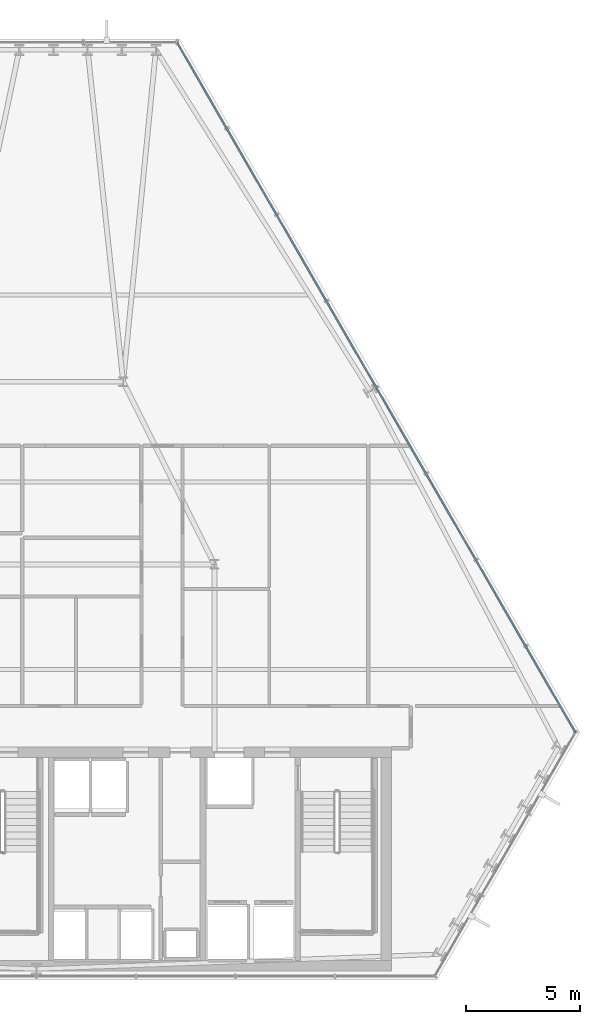
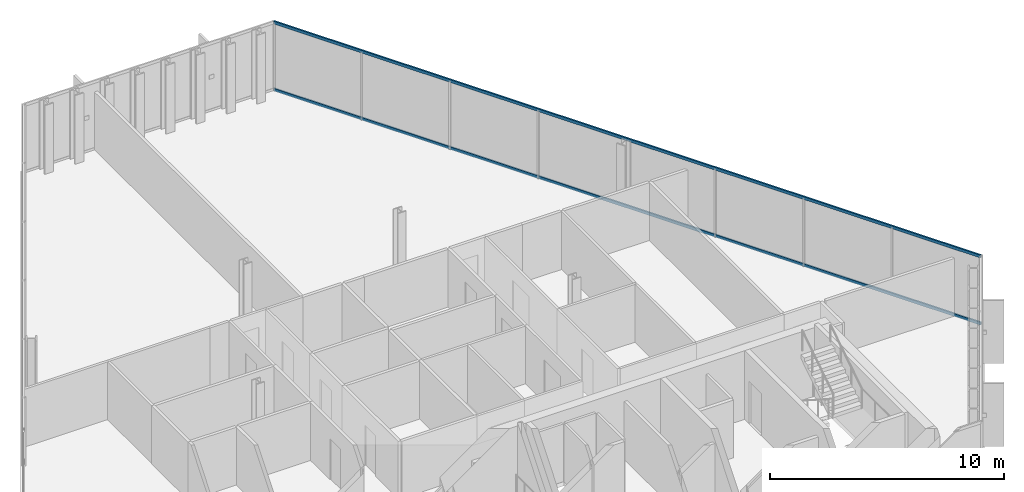
# One storey, part 18 of 32: 2 members, 1 element without a shape of its own.
"""IFC4 building model written with IfcOpenShell, lengths in metres."""

import ifcopenshell
import ifcopenshell.guid

model = None  # the IFC model being written
_history = None  # IfcOwnerHistory: only IFC2X3 demands one
_inside = {}  # id of a spatial element -> (the spatial element, [elements in it])
_under = {}  # id of a project, library or spatial element -> (it, [spatial elements below it])
_declared = {}  # id of a project -> (the project, [libraries it declares])
_typed = {}  # id of a type object -> (the type object, [elements of that type])
_made_of = {}  # id of a material, layer set ... -> (it, [elements and type objects made of it])


def new_model(schema):
    """Start an empty IFC model of exactly this schema.

    Asked for "IFC4X3", IfcOpenShell would pick the latest addendum, in which some entities
    have other attributes; the version numbers below select the first issue.
    IFC2X3 requires an IfcOwnerHistory on every rooted entity: one is made here for all.
    """
    global model, _history
    if schema == "IFC4X3":
        model = ifcopenshell.file(schema_version=(4, 3, 0, 0))
    else:
        model = ifcopenshell.file(schema=schema)
    _inside.clear()
    _under.clear()
    _declared.clear()
    _typed.clear()
    _made_of.clear()
    _history = None
    if model.schema == "IFC2X3":
        org = make("IfcOrganization", Name="unknown")
        user = make(
            "IfcPersonAndOrganization",
            ThePerson=make("IfcPerson", FamilyName="unknown"),
            TheOrganization=org,
        )
        app = make(
            "IfcApplication",
            ApplicationDeveloper=org,
            Version="unknown",
            ApplicationFullName="unknown",
            ApplicationIdentifier="unknown",
        )
        _history = make(
            "IfcOwnerHistory",
            OwningUser=user,
            OwningApplication=app,
            ChangeAction="ADDED",
            CreationDate=0,
        )
    return model


def make(cls, **values):
    """One entity of the class cls with the attributes given. An attribute that is None is left unset."""
    return model.create_entity(
        cls, **{name: value for name, value in values.items() if value is not None}
    )


def rooted(cls, **values):
    """An entity with a GlobalId (a new one), such as an element, a storey or a relation."""
    return make(cls, GlobalId=ifcopenshell.guid.new(), OwnerHistory=_history, **values)


def si_unit(unit_type, name, prefix=None):
    """IfcSIUnit, for example si_unit("LENGTHUNIT", "METRE", prefix="MILLI")."""
    return make("IfcSIUnit", UnitType=unit_type, Prefix=prefix, Name=name)


def assignment(units):
    """IfcUnitAssignment: the units of a project."""
    return None if units is None else make("IfcUnitAssignment", Units=units)


def point(xyz):
    """IfcCartesianPoint."""
    return None if xyz is None else make("IfcCartesianPoint", Coordinates=xyz)


def direction(xyz):
    """IfcDirection."""
    return None if xyz is None else make("IfcDirection", DirectionRatios=xyz)


def frame(location, z_axis=None, x_axis=None):
    """IfcAxis2Placement3D, a coordinate frame: its origin and axes. An axis left out is left unset."""
    return make(
        "IfcAxis2Placement3D",
        Location=point(location),
        Axis=direction(z_axis),
        RefDirection=direction(x_axis),
    )


def frame_2d(location, x_axis=None):
    """IfcAxis2Placement2D, a coordinate frame in the plane: its origin and x axis."""
    return make(
        "IfcAxis2Placement2D", Location=point(location), RefDirection=direction(x_axis)
    )


def origin():
    """The frame at (0, 0, 0) with its axes left unset."""
    return frame((0.0, 0.0, 0.0))


def origin_2d():
    """The frame at (0, 0) in the plane with its x axis left unset."""
    return frame_2d((0.0, 0.0))


def place(relative_to, where):
    """IfcLocalPlacement: puts the frame where relative to a parent placement (None: the world)."""
    return make(
        "IfcLocalPlacement", PlacementRelTo=relative_to, RelativePlacement=where
    )


def context(
    kind, dimensions, precision=None, world=None, true_north=None, identifier=None
):
    """IfcGeometricRepresentationContext, for example the 3D "Model" context."""
    return make(
        "IfcGeometricRepresentationContext",
        ContextIdentifier=identifier,
        ContextType=kind,
        CoordinateSpaceDimension=dimensions,
        Precision=precision,
        WorldCoordinateSystem=world,
        TrueNorth=true_north,
    )


def subcontext(parent, identifier, kind, view, scale=None):
    """IfcGeometricRepresentationSubContext, for example "Body" below "Model"."""
    return make(
        "IfcGeometricRepresentationSubContext",
        ContextIdentifier=identifier,
        ContextType=kind,
        ParentContext=parent,
        TargetScale=scale,
        TargetView=view,
    )


def project(units=None, contexts=None):
    """IfcProject with its units and contexts."""
    return rooted(
        "IfcProject",
        Name="project",
        RepresentationContexts=contexts,
        UnitsInContext=assignment(units),
    )


def spatial(cls, under=None, at=None, **own):
    """A site, building, storey or space (cls), placed at a placement, below another one or the project."""
    s = rooted(cls, ObjectPlacement=at, **own)
    if under is not None:
        _under.setdefault(under.id(), (under, []))[1].append(s)
    return s


def profile(cls, at=None, kind="AREA", **sizes):
    """A parametric profile (cls). Its sizes go by their IFC names, for example OverallWidth=200.0."""
    return make(cls, ProfileType=kind, Position=at, **sizes)


def hollow_rectangle(**sizes):
    """IfcRectangleHollowProfileDef."""
    return profile("IfcRectangleHollowProfileDef", **sizes)


def extrude(swept, where, along, depth):
    """IfcExtrudedAreaSolid: the profile swept, set in the frame where, extruded along a direction by depth."""
    return make(
        "IfcExtrudedAreaSolid",
        SweptArea=swept,
        Position=where,
        ExtrudedDirection=direction(along),
        Depth=depth,
    )


def shape(context_of_items, identifier, shape_type, items):
    """IfcShapeRepresentation: the items that make up one representation, for example the "Body"."""
    return make(
        "IfcShapeRepresentation",
        ContextOfItems=context_of_items,
        RepresentationIdentifier=identifier,
        RepresentationType=shape_type,
        Items=items,
    )


def material(Name=None, Category=None):
    """IfcMaterial."""
    return make("IfcMaterial", Name=Name, Category=Category)


def layer(
    of_material, thickness, ventilated=None, Name=None, Category=None, Priority=None
):
    """IfcMaterialLayer: one layer of a wall or slab, of a material (None: an air gap)."""
    return make(
        "IfcMaterialLayer",
        Material=of_material,
        LayerThickness=thickness,
        IsVentilated=ventilated,
        Name=Name,
        Category=Category,
        Priority=Priority,
    )


def layer_set(layers, Name=None):
    """IfcMaterialLayerSet."""
    return make("IfcMaterialLayerSet", MaterialLayers=layers, LayerSetName=Name)


def material_profile(
    of_material, cross_section, Name=None, Category=None, Priority=None
):
    """IfcMaterialProfile: a cross section and its material."""
    return make(
        "IfcMaterialProfile",
        Name=Name,
        Material=of_material,
        Profile=cross_section,
        Priority=Priority,
        Category=Category,
    )


def profile_set(profiles, Name=None, composite=None):
    """IfcMaterialProfileSet."""
    return make(
        "IfcMaterialProfileSet",
        Name=Name,
        MaterialProfiles=profiles,
        CompositeProfile=composite,
    )


def made_of(thing, what):
    """Note that an element or type object is made of a material, layer set ...; save() writes the relation."""
    if what is not None:
        _made_of.setdefault(what.id(), (what, []))[1].append(thing)
    return thing


def type_object(cls, material=None, **own):
    """A type object (cls), such as IfcWallType, which elements share."""
    return made_of(rooted(cls, **own), material)


def element(
    cls,
    number,
    at=None,
    inside=None,
    cuts=None,
    type_object=None,
    material=None,
    context=None,
    identifier="Body",
    shape_type=None,
    held_by="IfcProductDefinitionShape",
    body=None,
    shapes=None,
    **own,
):
    """One element of the class cls, such as IfcWall. Its Tag is "e" and its number.

    at: its placement. inside: the storey or other place that contains it. cuts: it is an
    opening in that element (IfcRelVoidsElement). A single representation is given by context,
    identifier, shape_type and body (its items); several are given by shapes. held_by: the class
    of the entity that holds the representations. save() writes the other relations.
    """
    e = rooted(cls, Tag="e%d" % number, ObjectPlacement=at, **own)
    if body is not None:
        shapes = [shape(context, identifier, shape_type, body)]
    if shapes is not None:
        e.Representation = make(held_by, Representations=shapes)
    if inside is not None:
        _inside.setdefault(inside.id(), (inside, []))[1].append(e)
    if cuts is not None:
        rooted(
            "IfcRelVoidsElement", RelatingBuildingElement=cuts, RelatedOpeningElement=e
        )
    if type_object is not None:
        _typed.setdefault(type_object.id(), (type_object, []))[1].append(e)
    return made_of(e, material)


def aggregate(whole, parts):
    """IfcRelAggregates: a whole, such as a stair, and the parts it consists of."""
    return rooted("IfcRelAggregates", RelatingObject=whole, RelatedObjects=parts)


def save(model, path):
    """Write the relations noted so far, then the file.

    IfcRelAggregates (storeys below a building ...), IfcRelContainedInSpatialStructure (elements
    in a storey), IfcRelDefinesByType, IfcRelAssociatesMaterial and IfcRelDeclares: one each for
    every whole, place, type object, material and project.
    """
    for whole, parts in _under.values():
        aggregate(whole, parts)
    for where, things in _inside.values():
        rooted(
            "IfcRelContainedInSpatialStructure",
            RelatedElements=things,
            RelatingStructure=where,
        )
    for kind, things in _typed.values():
        rooted("IfcRelDefinesByType", RelatedObjects=things, RelatingType=kind)
    for what, things in _made_of.values():
        rooted("IfcRelAssociatesMaterial", RelatedObjects=things, RelatingMaterial=what)
    for by, libraries in _declared.values():
        rooted("IfcRelDeclares", RelatingContext=by, RelatedDefinitions=libraries)
    model.write(path)


model = new_model("IFC4")

# Units and contexts
model_context = context("Model", 3, precision=1e-05, world=origin(), true_north=direction((0.0, 1.0)))
body_context = subcontext(model_context, "Body", "Model", "MODEL_VIEW")
ifc_project = project(units=[si_unit("LENGTHUNIT", "METRE"), si_unit("AREAUNIT", "SQUARE_METRE"), si_unit("VOLUMEUNIT", "CUBIC_METRE"), si_unit("PLANEANGLEUNIT", "RADIAN"), si_unit("MASSUNIT", "GRAM", prefix="KILO")], contexts=[model_context])

# Site, building, storey
site_placement = place(None, origin())
site = spatial("IfcSite", under=ifc_project, at=site_placement, CompositionType="ELEMENT")
building_placement = place(site_placement, origin())
building = spatial("IfcBuilding", under=site, at=building_placement, Name="Ndaravel Arena Tower", CompositionType="ELEMENT")
storey_placement = place(building_placement, frame((0.0, 0.0, 130.800048828125)))
storey = spatial("IfcBuildingStorey", under=building, at=storey_placement, Name="L30", CompositionType="ELEMENT", Elevation=130.800048828125)

# Curtain wall, members
ifc_material_1 = material(Name="Aluminium", Category="aluminium")
ifc_layer = layer(ifc_material_1, 0.179931640625)
ifc_layer_set = layer_set([ifc_layer], Name="Aluminium")
curtain_wall_type = type_object("IfcCurtainWallType", Name="CW-SYS-03", PredefinedType="NOTDEFINED", material=ifc_layer_set)
curtain_wall_placement = place(storey_placement, origin())
curtain_wall = element("IfcCurtainWall", 1, at=curtain_wall_placement, inside=storey, type_object=curtain_wall_type, Name="L30 Faceted Crystal Curtain Wall CW-L30-E03", PredefinedType="NOTDEFINED")
ifc_material_2 = material(Name="Aluminium", Category="aluminium")
ifc_material_profile = material_profile(ifc_material_2, hollow_rectangle(XDim=0.074951171875, YDim=0.14990234375, WallThickness=0.00390625, at=origin_2d()), Name="CW TRANSOM 75x150x4")
ifc_profile_set = profile_set([ifc_material_profile], Name="Aluminium")
member_type = type_object("IfcMemberType", Name="MEM-CW-TRN150", PredefinedType="USERDEFINED", material=ifc_profile_set)
member_1_placement = place(storey_placement, frame((65.611328125, 15.841064453125, 0.0400390625), z_axis=(-0.499997655819, 0.866026757194, 0.0), x_axis=(-0.866026757194, -0.499997655819, 0.0)))
member_1 = element("IfcMember", 2, at=member_1_placement, type_object=member_type, Name="CW-L30-E03 Transom 01", ObjectType="TRANSOM", PredefinedType="USERDEFINED", context=body_context, shape_type="SweptSolid", body=[
    extrude(hollow_rectangle(XDim=0.074951171875, YDim=0.14990234375, WallThickness=0.00390625, at=origin_2d()), origin(), (0.0, 0.0, 1.0), 34.889404296875),
])
member_2_placement = place(storey_placement, frame((65.611328125, 15.841064453125, 3.5400390625), z_axis=(-0.499997655819, 0.866026757194, 0.0), x_axis=(-0.866026757194, -0.499997655819, 0.0)))
member_2 = element("IfcMember", 3, at=member_2_placement, type_object=member_type, Name="CW-L30-E03 Transom 02", ObjectType="TRANSOM", PredefinedType="USERDEFINED", context=body_context, shape_type="SweptSolid", body=[
    extrude(hollow_rectangle(XDim=0.074951171875, YDim=0.14990234375, WallThickness=0.00390625, at=origin_2d()), origin(), (0.0, 0.0, 1.0), 34.889404296875),
])
aggregate(curtain_wall, [member_1, member_2])

save(model, "model.ifc")
